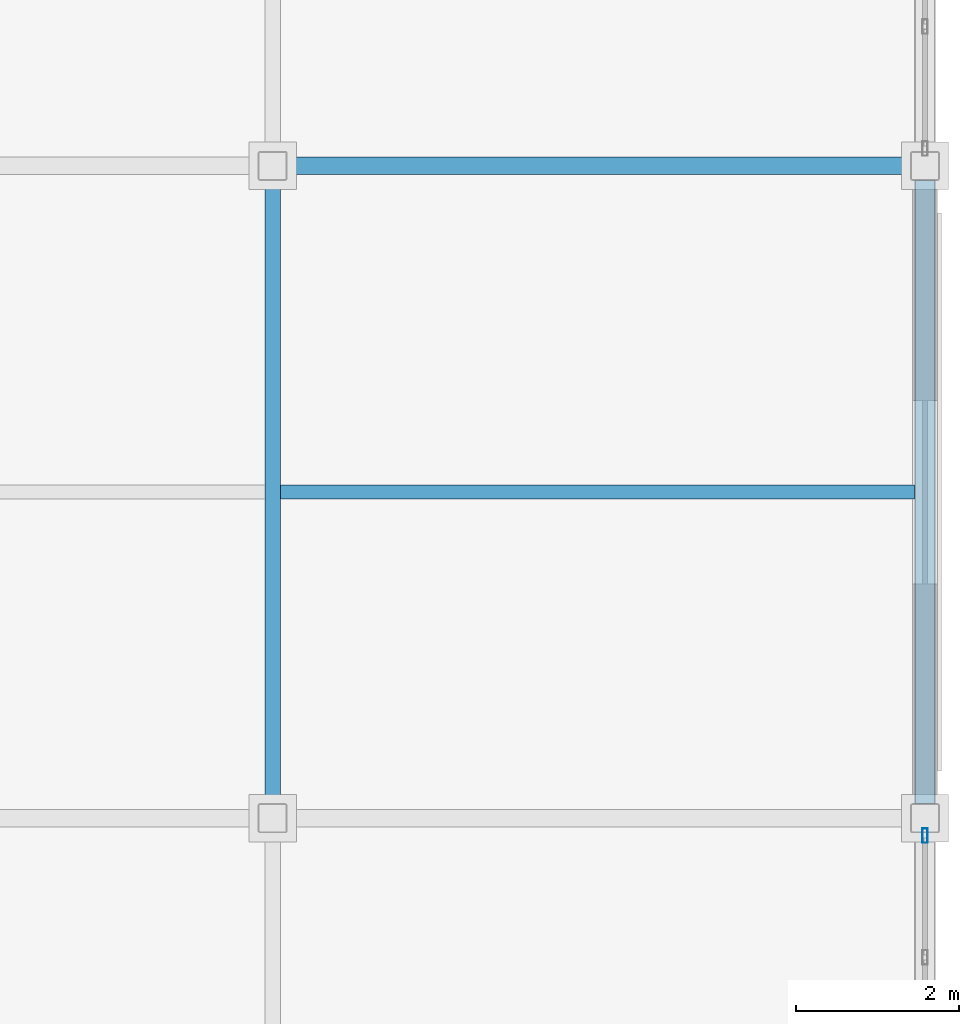
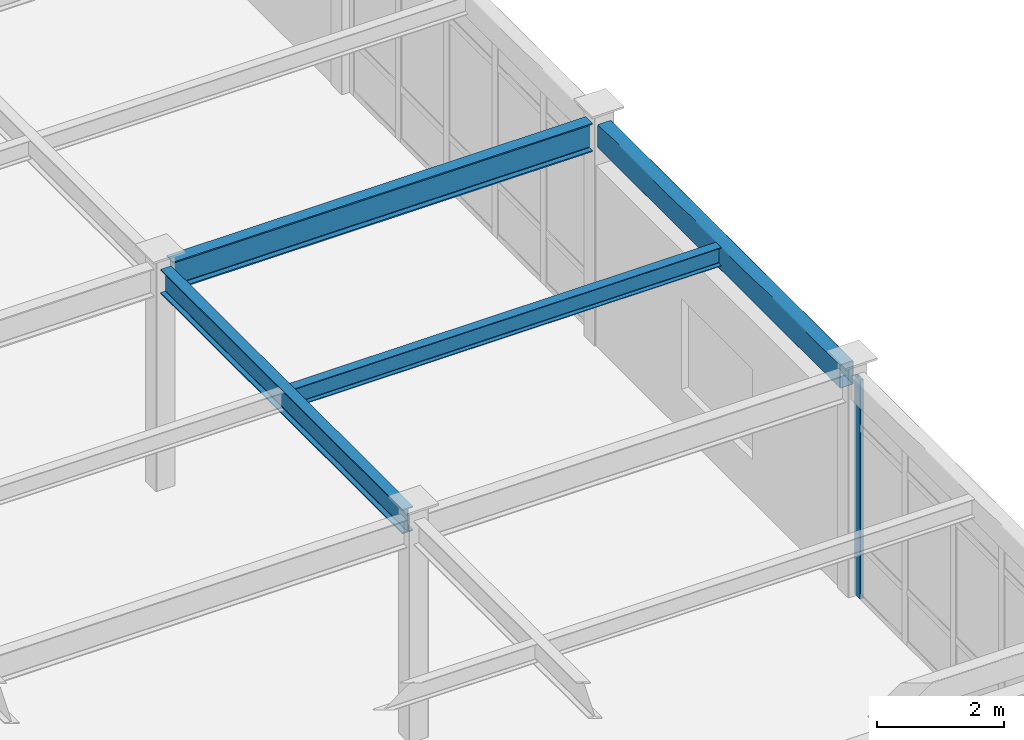
# One storey, part 67 of 111: 4 beams, 1 member, 1 element without a shape of its own.
"""IFC4 building model written with IfcOpenShell, lengths in metres."""

from ifc_helpers import new_model, si_unit, direction, frame, origin, origin_2d, place, context, subcontext, project, spatial, hollow_rectangle, i_section, extrude, material, material_profile, profile_set, type_object, element, aggregate, save


model = new_model("IFC4")

# Units and contexts
model_context = context("Model", 3, precision=1e-05, world=origin(), true_north=direction((0.0, 1.0)))
body_context = subcontext(model_context, "Body", "Model", "MODEL_VIEW")
ifc_project = project(units=[si_unit("LENGTHUNIT", "METRE"), si_unit("AREAUNIT", "SQUARE_METRE"), si_unit("VOLUMEUNIT", "CUBIC_METRE"), si_unit("PLANEANGLEUNIT", "RADIAN"), si_unit("MASSUNIT", "GRAM", prefix="KILO")], contexts=[model_context])

# Site, building, storey
site_placement = place(None, origin())
site = spatial("IfcSite", under=ifc_project, at=site_placement, CompositionType="ELEMENT")
building_placement = place(site_placement, origin())
building = spatial("IfcBuilding", under=site, at=building_placement, Name="Solmirada Galleria", CompositionType="ELEMENT")
storey_placement = place(building_placement, frame((0.0, 0.0, 10.39990234375)))
storey = spatial("IfcBuildingStorey", under=building, at=storey_placement, Name="L02", CompositionType="ELEMENT", Elevation=10.39990234375)

# Beams
ifc_material_1 = material(Name="Steel S355 / ASTM A992 Grade 50", Category="steel")
ifc_material_profile_1 = material_profile(ifc_material_1, i_section(OverallWidth=0.194091796875, OverallDepth=0.468994140625, WebThickness=0.0126953125, FlangeThickness=0.0205078125, FilletRadius=0.013916015625, at=origin_2d()), Name="W18X71")
ifc_profile_set_1 = profile_set([ifc_material_profile_1], Name="Steel S355 / ASTM A992 Grade 50")
beam_type_1 = type_object("IfcBeamType", Name="BM-GIRD-W18B", PredefinedType="BEAM", material=ifc_profile_set_1)
beam_1_placement = place(storey_placement, frame((168.0, 8.177978515625, 4.025634765625), z_axis=(0.0, 1.0, 0.0), x_axis=(-1.0, 0.0, 0.0)))
element("IfcBeam", 1, at=beam_1_placement, inside=storey, type_object=beam_type_1, Name="Primary girder L03 Y(168, 8..16)", PredefinedType="BEAM", context=body_context, shape_type="SweptSolid", body=[
    extrude(i_section(OverallWidth=0.194091796875, OverallDepth=0.468994140625, WebThickness=0.0126953125, FlangeThickness=0.0205078125, FilletRadius=0.013916015625, at=origin_2d()), origin(), (0.0, 0.0, 1.0), 7.64404296875),
])
ifc_material_profile_2 = material_profile(ifc_material_1, i_section(OverallWidth=0.214111328125, OverallDepth=0.549072265625, WebThickness=0.0146484375, FlangeThickness=0.023681640625, FilletRadius=0.014892578125, at=origin_2d()), Name="W21X93")
ifc_profile_set_2 = profile_set([ifc_material_profile_2], Name="Steel S355 / ASTM A992 Grade 50")
beam_type_2 = type_object("IfcBeamType", Name="BM-GIRD-W21A", PredefinedType="BEAM", material=ifc_profile_set_2)
beam_2_placement = place(storey_placement, frame((168.177978515625, 16.0, 3.985595703125), z_axis=(1.0, 0.0, 0.0), x_axis=(0.0, 1.0, 0.0)))
element("IfcBeam", 2, at=beam_2_placement, inside=storey, type_object=beam_type_2, Name="Primary beam L03 X(168..176, 16)", PredefinedType="BEAM", context=body_context, shape_type="SweptSolid", body=[
    extrude(i_section(OverallWidth=0.214111328125, OverallDepth=0.549072265625, WebThickness=0.0146484375, FlangeThickness=0.023681640625, FilletRadius=0.014892578125, at=origin_2d()), origin(), (0.0, 0.0, 1.0), 7.64404296875),
])
ifc_material_profile_3 = material_profile(ifc_material_1, i_section(OverallWidth=0.172119140625, OverallDepth=0.35791015625, WebThickness=0.0078125, FlangeThickness=0.01318359375, FilletRadius=0.011962890625, at=origin_2d()), Name="W14X38")
ifc_profile_set_3 = profile_set([ifc_material_profile_3], Name="Steel S355 / ASTM A992 Grade 50")
beam_type_3 = type_object("IfcBeamType", Name="BM-JST-W14A", PredefinedType="JOIST", material=ifc_profile_set_3)
beam_3_placement = place(storey_placement, frame((168.096923828125, 12.0, 4.0810546875), z_axis=(1.0, 0.0, 0.0), x_axis=(0.0, 1.0, 0.0)))
element("IfcBeam", 3, at=beam_3_placement, inside=storey, type_object=beam_type_3, Name="Composite floor joist L03 (168..176, 12.0)", PredefinedType="JOIST", context=body_context, shape_type="SweptSolid", body=[
    extrude(i_section(OverallWidth=0.172119140625, OverallDepth=0.35791015625, WebThickness=0.0078125, FlangeThickness=0.01318359375, FilletRadius=0.011962890625, at=origin_2d()), origin(), (0.0, 0.0, 1.0), 7.776123046875),
])
ifc_material_2 = material(Name="Steel S355 / ASTM A500 Grade C", Category="steel")
ifc_material_profile_4 = material_profile(ifc_material_2, hollow_rectangle(XDim=0.25390625, YDim=0.45703125, WallThickness=0.01171875, InnerFilletRadius=0.01171875, OuterFilletRadius=0.023681640625, at=origin_2d()), Name="HSS18X10X1/2")
ifc_profile_set_4 = profile_set([ifc_material_profile_4], Name="Steel S355 / ASTM A500 Grade C")
beam_type_4 = type_object("IfcBeamType", Name="BM-SPAND-W18", PredefinedType="SPANDREL", material=ifc_profile_set_4)
beam_4_placement = place(storey_placement, frame((176.0, 8.177978515625, 4.031494140625), z_axis=(0.0, 1.0, 0.0), x_axis=(-1.0, 0.0, 0.0)))
element("IfcBeam", 4, at=beam_4_placement, inside=storey, type_object=beam_type_4, Name="Primary girder L03 Y(176, 8..16)", PredefinedType="SPANDREL", context=body_context, shape_type="SweptSolid", body=[
    extrude(hollow_rectangle(XDim=0.25390625, YDim=0.45703125, WallThickness=0.01171875, InnerFilletRadius=0.01171875, OuterFilletRadius=0.023681640625, at=origin_2d()), origin(), (0.0, 0.0, 1.0), 7.64404296875),
])

# Curtain wall, member
ifc_material_3 = material(Name="Impact-resistant low-E double glazing", Category="glass")
curtain_wall_type = type_object("IfcCurtainWallType", Name="CW-FZ5-L02-B5-L076", PredefinedType="NOTDEFINED", material=ifc_material_3)
curtain_wall_placement = place(storey_placement, origin())
curtain_wall = element("IfcCurtainWall", 5, at=curtain_wall_placement, inside=storey, type_object=curtain_wall_type, Name="Terrace and arcade storefront CW-L02-117", PredefinedType="NOTDEFINED")
ifc_material_4 = material(Name="Anodised aluminium framing", Category="aluminium")
ifc_material_profile_5 = material_profile(ifc_material_4, hollow_rectangle(XDim=0.06494140625, YDim=0.179931640625, WallThickness=0.00390625, InnerFilletRadius=0.00390625, OuterFilletRadius=0.008056640625, at=origin_2d()), Name="ALU-MULL-180X65")
ifc_profile_set_5 = profile_set([ifc_material_profile_5], Name="Anodised aluminium framing")
member_type = type_object("IfcMemberType", Name="CW-MULL-180", PredefinedType="MULLION", material=ifc_profile_set_5)
member_placement = place(storey_placement, frame((176.0, 7.78759765625, 0.0), z_axis=(0.0, 0.0, 1.0), x_axis=(1.0, 0.0, 0.0)))
member = element("IfcMember", 6, at=member_placement, type_object=member_type, Name="CW26 mullion 1", PredefinedType="MULLION", context=body_context, shape_type="SweptSolid", body=[
    extrude(hollow_rectangle(XDim=0.06494140625, YDim=0.179931640625, WallThickness=0.00390625, InnerFilletRadius=0.00390625, OuterFilletRadius=0.008056640625, at=origin_2d()), origin(), (0.0, 0.0, 1.0), 4.22021484375),
])
aggregate(curtain_wall, [member])

save(model, "model.ifc")
